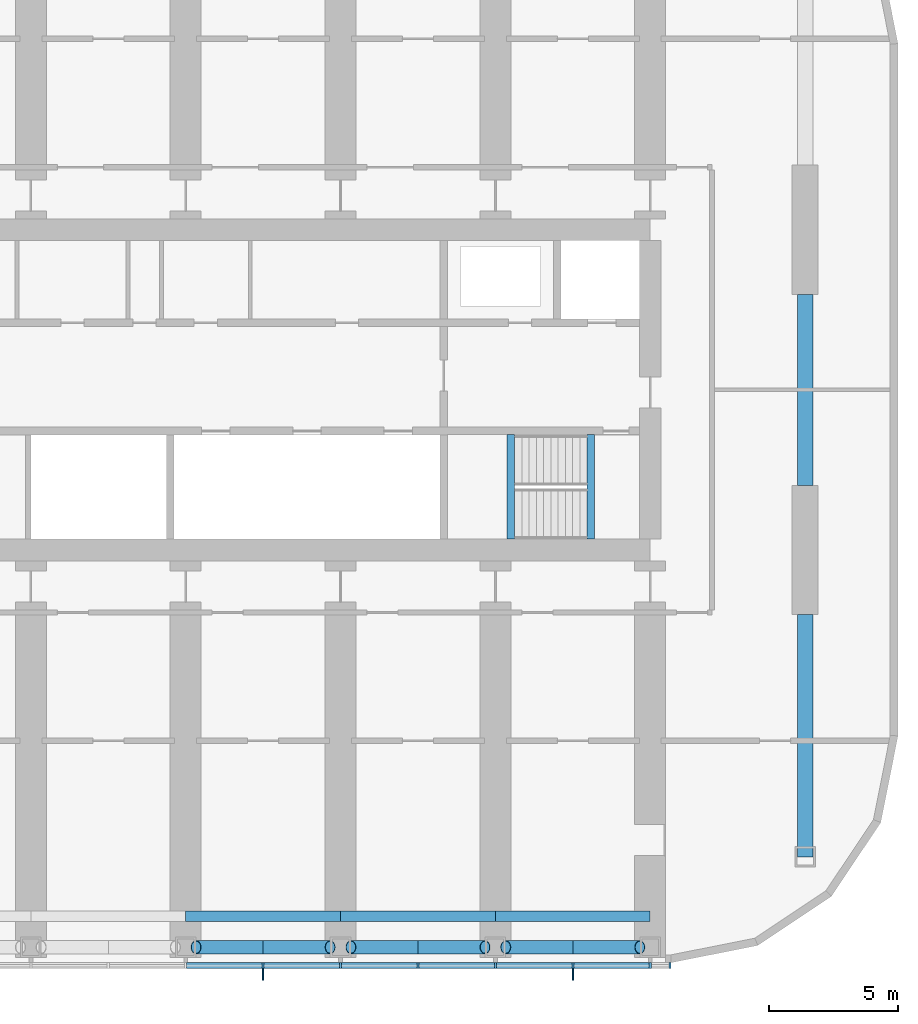
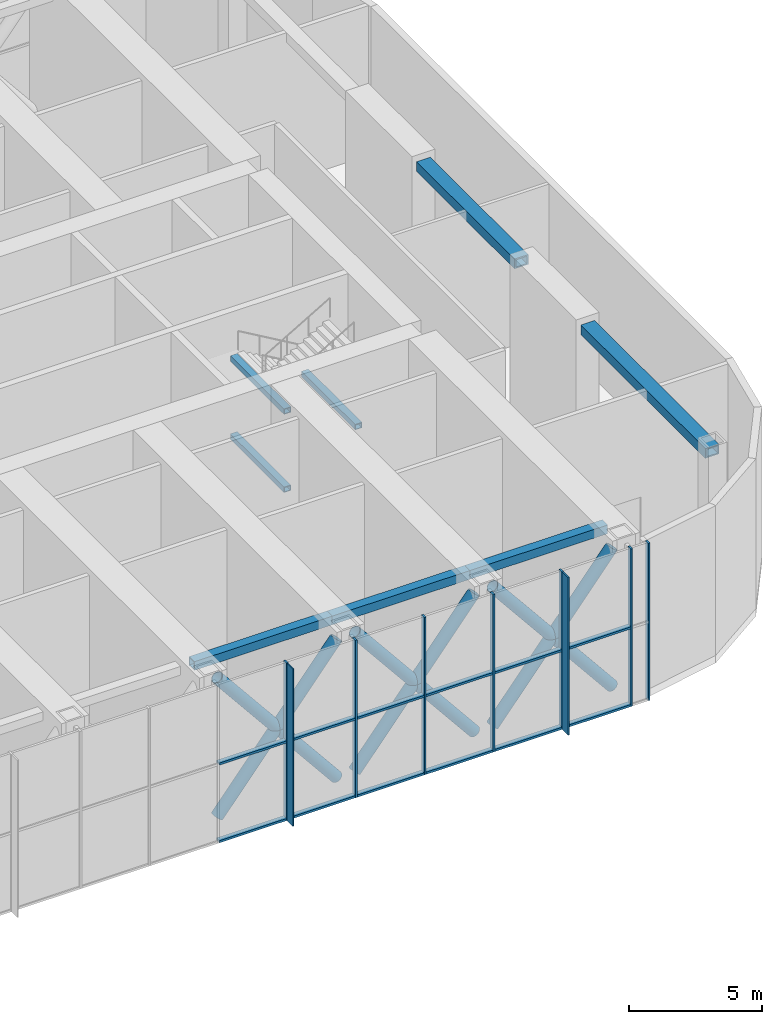
# One storey, part 3 of 22: 27 members, 8 beams, 1 element without a shape of its own.
"""IFC4 building model written with IfcOpenShell, lengths in metres."""

from ifc_helpers import new_model, si_unit, direction, frame, origin, origin_2d, place, context, subcontext, project, spatial, rectangle, hollow_rectangle, hollow_circle, extrude, material, material_profile, profile_set, type_object, element, aggregate, save


model = new_model("IFC4")

# Units and contexts
model_context = context("Model", 3, precision=1e-05, world=origin(), true_north=direction((0.0, 1.0)))
body_context = subcontext(model_context, "Body", "Model", "MODEL_VIEW")
ifc_project = project(units=[si_unit("LENGTHUNIT", "METRE"), si_unit("AREAUNIT", "SQUARE_METRE"), si_unit("VOLUMEUNIT", "CUBIC_METRE"), si_unit("PLANEANGLEUNIT", "RADIAN"), si_unit("MASSUNIT", "GRAM", prefix="KILO")], contexts=[model_context])

# Site, building, storey
site_placement = place(None, origin())
site = spatial("IfcSite", under=ifc_project, at=site_placement, CompositionType="ELEMENT")
building_placement = place(site_placement, origin())
building = spatial("IfcBuilding", under=site, at=building_placement, Name="Orbita Commons", CompositionType="ELEMENT")
storey_placement = place(building_placement, frame((0.0, 0.0, 201.10009765625)))
storey = spatial("IfcBuildingStorey", under=building, at=storey_placement, Name="L50", CompositionType="ELEMENT", Elevation=201.10009765625)

# Members
ifc_material_1 = material(Name="Steel ASTM A992", Category="steel")
ifc_material_profile_1 = material_profile(ifc_material_1, hollow_circle(Radius=0.25390625, WallThickness=0.02001953125, at=origin_2d()), Name="CHS 508x20")
ifc_profile_set_1 = profile_set([ifc_material_profile_1], Name="Steel ASTM A992")
member_type_1 = type_object("IfcMemberType", Name="Belt truss diagonal CHS 508x20", PredefinedType="BRACE", material=ifc_profile_set_1)
for number, where, z_axis, x_axis, name in (
    (1, (48.39990234375, 10.39990234375, 0.25), (0.630612687458, 0.0, 0.776097699015), (0.0, 1.0, 0.0), "Belt truss diagonal B 9-10 rising L50"),
    (2, (48.39990234375, 10.39990234375, 6.64990234375), (0.630612687458, 0.0, -0.776097699015), (0.0, 1.0, 0.0), "Belt truss diagonal B 9-10 falling L50"),
    (3, (54.39990234375, 10.39990234375, 0.25), (0.630612687458, 0.0, 0.776097699015), (0.0, 1.0, 0.0), "Belt truss diagonal B 10-11 rising L50"),
    (4, (54.39990234375, 10.39990234375, 6.64990234375), (0.630612687458, 0.0, -0.776097699015), (0.0, 1.0, 0.0), "Belt truss diagonal B 10-11 falling L50"),
    (5, (60.39990234375, 10.39990234375, 0.25), (0.630612687458, 0.0, 0.776097699015), (0.0, 1.0, 0.0), "Belt truss diagonal B 11-12 rising L50"),
    (6, (60.39990234375, 10.39990234375, 6.64990234375), (0.630612687458, 0.0, -0.776097699015), (0.0, 1.0, 0.0), "Belt truss diagonal B 11-12 falling L50"),
):
    element("IfcMember", number, at=place(storey_placement, frame(where, z_axis=z_axis, x_axis=x_axis)), inside=storey, type_object=member_type_1, Name=name, PredefinedType="BRACE", context=body_context, shape_type="SweptSolid", body=[
        extrude(hollow_circle(Radius=0.25390625, WallThickness=0.02001953125, at=origin_2d()), origin(), (0.0, 0.0, 1.0), 8.246337890625),
    ])

# Curtain wall, members
ifc_material_2 = material(Name="Anodised aluminium frame, pale silver", Category="aluminium")
curtain_wall_type = type_object("IfcCurtainWallType", Name="Louvred curtain wall CW-V", PredefinedType="NOTDEFINED", material=ifc_material_2)
curtain_wall_placement = place(storey_placement, origin())
curtain_wall = element("IfcCurtainWall", 7, at=curtain_wall_placement, inside=storey, type_object=curtain_wall_type, Name="Curtain wall south L50", PredefinedType="NOTDEFINED")
ifc_material_3 = material(Name="Anodised aluminium, pale silver", Category="aluminium")
ifc_material_profile_2 = material_profile(ifc_material_3, rectangle(XDim=0.080078125, YDim=0.219970703125, at=origin_2d()), Name="AL 80x220")
ifc_profile_set_2 = profile_set([ifc_material_profile_2], Name="Anodised aluminium, pale silver")
member_type_2 = type_object("IfcMemberType", Name="Curtain wall mullion 80x220", PredefinedType="MULLION", material=ifc_profile_set_2)
member_1_placement = place(storey_placement, frame((51.0, 9.68994140625, -0.35009765625), z_axis=(0.0, 0.0, 1.0), x_axis=(1.0, 0.0, 0.0)))
member_1 = element("IfcMember", 8, at=member_1_placement, type_object=member_type_2, Name="Mullion 13 CW-L50-S", PredefinedType="MULLION", context=body_context, shape_type="SweptSolid", body=[
    extrude(rectangle(XDim=0.080078125, YDim=0.219970703125, at=origin_2d()), origin(), (0.0, 0.0, 1.0), 7.25),
])
member_2_placement = place(storey_placement, frame((54.0, 9.68994140625, -0.35009765625), z_axis=(0.0, 0.0, 1.0), x_axis=(1.0, 0.0, 0.0)))
member_2 = element("IfcMember", 9, at=member_2_placement, type_object=member_type_2, Name="Mullion 14 CW-L50-S", PredefinedType="MULLION", context=body_context, shape_type="SweptSolid", body=[
    extrude(rectangle(XDim=0.080078125, YDim=0.219970703125, at=origin_2d()), origin(), (0.0, 0.0, 1.0), 7.25),
])
member_3_placement = place(storey_placement, frame((57.0, 9.68994140625, -0.35009765625), z_axis=(0.0, 0.0, 1.0), x_axis=(1.0, 0.0, 0.0)))
member_3 = element("IfcMember", 10, at=member_3_placement, type_object=member_type_2, Name="Mullion 15 CW-L50-S", PredefinedType="MULLION", context=body_context, shape_type="SweptSolid", body=[
    extrude(rectangle(XDim=0.080078125, YDim=0.219970703125, at=origin_2d()), origin(), (0.0, 0.0, 1.0), 7.25),
])
member_4_placement = place(storey_placement, frame((60.0, 9.68994140625, -0.35009765625), z_axis=(0.0, 0.0, 1.0), x_axis=(1.0, 0.0, 0.0)))
member_4 = element("IfcMember", 11, at=member_4_placement, type_object=member_type_2, Name="Mullion 16 CW-L50-S", PredefinedType="MULLION", context=body_context, shape_type="SweptSolid", body=[
    extrude(rectangle(XDim=0.080078125, YDim=0.219970703125, at=origin_2d()), origin(), (0.0, 0.0, 1.0), 7.25),
])
member_5_placement = place(storey_placement, frame((63.0, 9.68994140625, -0.35009765625), z_axis=(0.0, 0.0, 1.0), x_axis=(1.0, 0.0, 0.0)))
member_5 = element("IfcMember", 12, at=member_5_placement, type_object=member_type_2, Name="Mullion 17 CW-L50-S", PredefinedType="MULLION", context=body_context, shape_type="SweptSolid", body=[
    extrude(rectangle(XDim=0.080078125, YDim=0.219970703125, at=origin_2d()), origin(), (0.0, 0.0, 1.0), 7.25),
])
member_6_placement = place(storey_placement, frame((66.0, 9.68994140625, -0.35009765625), z_axis=(0.0, 0.0, 1.0), x_axis=(1.0, 0.0, 0.0)))
member_6 = element("IfcMember", 13, at=member_6_placement, type_object=member_type_2, Name="Mullion 18 CW-L50-S", PredefinedType="MULLION", context=body_context, shape_type="SweptSolid", body=[
    extrude(rectangle(XDim=0.080078125, YDim=0.219970703125, at=origin_2d()), origin(), (0.0, 0.0, 1.0), 7.25),
])
member_7_placement = place(storey_placement, frame((66.760009765625, 9.68994140625, -0.35009765625), z_axis=(0.0, 0.0, 1.0), x_axis=(1.0, 0.0, 0.0)))
member_7 = element("IfcMember", 14, at=member_7_placement, type_object=member_type_2, Name="Mullion 19 CW-L50-S", PredefinedType="MULLION", context=body_context, shape_type="SweptSolid", body=[
    extrude(rectangle(XDim=0.080078125, YDim=0.219970703125, at=origin_2d()), origin(), (0.0, 0.0, 1.0), 7.25),
])
ifc_material_4 = material(Name="Anodised aluminium, pale silver", Category="aluminium")
ifc_material_profile_3 = material_profile(ifc_material_4, rectangle(XDim=0.219970703125, YDim=0.10009765625, at=origin_2d()), Name="AL 220x100")
ifc_profile_set_3 = profile_set([ifc_material_profile_3], Name="Anodised aluminium, pale silver")
member_type_3 = type_object("IfcMemberType", Name="Curtain wall stack transom 220x100", PredefinedType="USERDEFINED", material=ifc_profile_set_3)
member_8_placement = place(storey_placement, frame((48.0400390625, 9.68994140625, -0.300048828125), z_axis=(1.0, 0.0, 0.0), x_axis=(0.0, 1.0, 0.0)))
member_8 = element("IfcMember", 15, at=member_8_placement, type_object=member_type_3, Name="Transom 12.1 CW-L50-S", ObjectType="TRANSOM", PredefinedType="USERDEFINED", context=body_context, shape_type="SweptSolid", body=[
    extrude(rectangle(XDim=0.219970703125, YDim=0.10009765625, at=origin_2d()), origin(), (0.0, 0.0, 1.0), 2.919921875),
])
member_9_placement = place(storey_placement, frame((48.0400390625, 9.68994140625, 3.27490234375), z_axis=(1.0, 0.0, 0.0), x_axis=(0.0, 1.0, 0.0)))
member_9 = element("IfcMember", 16, at=member_9_placement, type_object=member_type_3, Name="Transom 12.2 CW-L50-S", ObjectType="TRANSOM", PredefinedType="USERDEFINED", context=body_context, shape_type="SweptSolid", body=[
    extrude(rectangle(XDim=0.219970703125, YDim=0.10009765625, at=origin_2d()), origin(), (0.0, 0.0, 1.0), 2.919921875),
])
member_10_placement = place(storey_placement, frame((51.0400390625, 9.68994140625, -0.300048828125), z_axis=(1.0, 0.0, 0.0), x_axis=(0.0, 1.0, 0.0)))
member_10 = element("IfcMember", 17, at=member_10_placement, type_object=member_type_3, Name="Transom 13.1 CW-L50-S", ObjectType="TRANSOM", PredefinedType="USERDEFINED", context=body_context, shape_type="SweptSolid", body=[
    extrude(rectangle(XDim=0.219970703125, YDim=0.10009765625, at=origin_2d()), origin(), (0.0, 0.0, 1.0), 2.919921875),
])
member_11_placement = place(storey_placement, frame((51.0400390625, 9.68994140625, 3.27490234375), z_axis=(1.0, 0.0, 0.0), x_axis=(0.0, 1.0, 0.0)))
member_11 = element("IfcMember", 18, at=member_11_placement, type_object=member_type_3, Name="Transom 13.2 CW-L50-S", ObjectType="TRANSOM", PredefinedType="USERDEFINED", context=body_context, shape_type="SweptSolid", body=[
    extrude(rectangle(XDim=0.219970703125, YDim=0.10009765625, at=origin_2d()), origin(), (0.0, 0.0, 1.0), 2.919921875),
])
member_12_placement = place(storey_placement, frame((54.0400390625, 9.68994140625, -0.300048828125), z_axis=(1.0, 0.0, 0.0), x_axis=(0.0, 1.0, 0.0)))
member_12 = element("IfcMember", 19, at=member_12_placement, type_object=member_type_3, Name="Transom 14.1 CW-L50-S", ObjectType="TRANSOM", PredefinedType="USERDEFINED", context=body_context, shape_type="SweptSolid", body=[
    extrude(rectangle(XDim=0.219970703125, YDim=0.10009765625, at=origin_2d()), origin(), (0.0, 0.0, 1.0), 2.919921875),
])
member_13_placement = place(storey_placement, frame((54.0400390625, 9.68994140625, 3.27490234375), z_axis=(1.0, 0.0, 0.0), x_axis=(0.0, 1.0, 0.0)))
member_13 = element("IfcMember", 20, at=member_13_placement, type_object=member_type_3, Name="Transom 14.2 CW-L50-S", ObjectType="TRANSOM", PredefinedType="USERDEFINED", context=body_context, shape_type="SweptSolid", body=[
    extrude(rectangle(XDim=0.219970703125, YDim=0.10009765625, at=origin_2d()), origin(), (0.0, 0.0, 1.0), 2.919921875),
])
member_14_placement = place(storey_placement, frame((57.0400390625, 9.68994140625, -0.300048828125), z_axis=(1.0, 0.0, 0.0), x_axis=(0.0, 1.0, 0.0)))
member_14 = element("IfcMember", 21, at=member_14_placement, type_object=member_type_3, Name="Transom 15.1 CW-L50-S", ObjectType="TRANSOM", PredefinedType="USERDEFINED", context=body_context, shape_type="SweptSolid", body=[
    extrude(rectangle(XDim=0.219970703125, YDim=0.10009765625, at=origin_2d()), origin(), (0.0, 0.0, 1.0), 2.919921875),
])
member_15_placement = place(storey_placement, frame((57.0400390625, 9.68994140625, 3.27490234375), z_axis=(1.0, 0.0, 0.0), x_axis=(0.0, 1.0, 0.0)))
member_15 = element("IfcMember", 22, at=member_15_placement, type_object=member_type_3, Name="Transom 15.2 CW-L50-S", ObjectType="TRANSOM", PredefinedType="USERDEFINED", context=body_context, shape_type="SweptSolid", body=[
    extrude(rectangle(XDim=0.219970703125, YDim=0.10009765625, at=origin_2d()), origin(), (0.0, 0.0, 1.0), 2.919921875),
])
member_16_placement = place(storey_placement, frame((60.0400390625, 9.68994140625, -0.300048828125), z_axis=(1.0, 0.0, 0.0), x_axis=(0.0, 1.0, 0.0)))
member_16 = element("IfcMember", 23, at=member_16_placement, type_object=member_type_3, Name="Transom 16.1 CW-L50-S", ObjectType="TRANSOM", PredefinedType="USERDEFINED", context=body_context, shape_type="SweptSolid", body=[
    extrude(rectangle(XDim=0.219970703125, YDim=0.10009765625, at=origin_2d()), origin(), (0.0, 0.0, 1.0), 2.919921875),
])
member_17_placement = place(storey_placement, frame((60.0400390625, 9.68994140625, 3.27490234375), z_axis=(1.0, 0.0, 0.0), x_axis=(0.0, 1.0, 0.0)))
member_17 = element("IfcMember", 24, at=member_17_placement, type_object=member_type_3, Name="Transom 16.2 CW-L50-S", ObjectType="TRANSOM", PredefinedType="USERDEFINED", context=body_context, shape_type="SweptSolid", body=[
    extrude(rectangle(XDim=0.219970703125, YDim=0.10009765625, at=origin_2d()), origin(), (0.0, 0.0, 1.0), 2.919921875),
])
member_18_placement = place(storey_placement, frame((63.0400390625, 9.68994140625, -0.300048828125), z_axis=(1.0, 0.0, 0.0), x_axis=(0.0, 1.0, 0.0)))
member_18 = element("IfcMember", 25, at=member_18_placement, type_object=member_type_3, Name="Transom 17.1 CW-L50-S", ObjectType="TRANSOM", PredefinedType="USERDEFINED", context=body_context, shape_type="SweptSolid", body=[
    extrude(rectangle(XDim=0.219970703125, YDim=0.10009765625, at=origin_2d()), origin(), (0.0, 0.0, 1.0), 2.919921875),
])
member_19_placement = place(storey_placement, frame((63.0400390625, 9.68994140625, 3.27490234375), z_axis=(1.0, 0.0, 0.0), x_axis=(0.0, 1.0, 0.0)))
member_19 = element("IfcMember", 26, at=member_19_placement, type_object=member_type_3, Name="Transom 17.2 CW-L50-S", ObjectType="TRANSOM", PredefinedType="USERDEFINED", context=body_context, shape_type="SweptSolid", body=[
    extrude(rectangle(XDim=0.219970703125, YDim=0.10009765625, at=origin_2d()), origin(), (0.0, 0.0, 1.0), 2.919921875),
])

# Beams
ifc_material_5 = material(Name="Steel ASTM A572 Gr 50 welded plate", Category="steel")
ifc_material_profile_4 = material_profile(ifc_material_5, hollow_rectangle(XDim=0.300048828125, YDim=0.25, WallThickness=0.02490234375, at=origin_2d()), Name="BOX 250x300x25")
ifc_profile_set_4 = profile_set([ifc_material_profile_4], Name="Steel ASTM A572 Gr 50 welded plate")
beam_type_1 = type_object("IfcBeamType", Name="Stair landing beam steel BOX 250x300x25", PredefinedType="BEAM", material=ifc_profile_set_4)
for number, where, z_axis, x_axis, name in (
    (27, (60.60009765625, 26.2099609375, 1.474853515625), (0.0, 1.0, 0.0), (-1.0, 0.0, 0.0), "Stair S2 landing beam L50 1"),
    (28, (63.699951171875, 26.2099609375, 3.27490234375), (0.0, 1.0, 0.0), (-1.0, 0.0, 0.0), "Stair S2 landing beam L50 2"),
    (29, (60.60009765625, 26.2099609375, 5.074951171875), (0.0, 1.0, 0.0), (-1.0, 0.0, 0.0), "Stair S2 landing beam L50 3"),
):
    element("IfcBeam", number, at=place(storey_placement, frame(where, z_axis=z_axis, x_axis=x_axis)), inside=storey, type_object=beam_type_1, Name=name, PredefinedType="BEAM", context=body_context, shape_type="SweptSolid", body=[
        extrude(hollow_rectangle(XDim=0.300048828125, YDim=0.25, WallThickness=0.02490234375, at=origin_2d()), origin(), (0.0, 0.0, 1.0), 4.054931640625),
    ])
ifc_material_6 = material(Name="Steel ASTM A572 Gr 50 welded plate", Category="steel")
ifc_material_profile_5 = material_profile(ifc_material_6, hollow_rectangle(XDim=0.60009765625, YDim=0.449951171875, WallThickness=0.06005859375, at=origin_2d()), Name="BOX 450x600x60")
ifc_profile_set_5 = profile_set([ifc_material_profile_5], Name="Steel ASTM A572 Gr 50 welded plate")
beam_type_2 = type_object("IfcBeamType", Name="Steel end frame link BOX 450x600x60", PredefinedType="BEAM", material=ifc_profile_set_5)
beam_1_placement = place(storey_placement, frame((72.0, 13.89990234375, 6.6748046875), z_axis=(0.0, 1.0, 0.0), x_axis=(-1.0, 0.0, 0.0)))
element("IfcBeam", 30, at=beam_1_placement, inside=storey, type_object=beam_type_2, Name="End frame beam 13 B-C L50", PredefinedType="BEAM", context=body_context, shape_type="SweptSolid", body=[
    extrude(hollow_rectangle(XDim=0.60009765625, YDim=0.449951171875, WallThickness=0.06005859375, at=origin_2d()), origin(), (0.0, 0.0, 1.0), 9.400146484375),
])
beam_2_placement = place(storey_placement, frame((72.0, 28.300048828125, 6.6748046875), z_axis=(0.0, 1.0, 0.0), x_axis=(-1.0, 0.0, 0.0)))
element("IfcBeam", 31, at=beam_2_placement, inside=storey, type_object=beam_type_2, Name="End frame beam 13 C-D L50", PredefinedType="BEAM", context=body_context, shape_type="SweptSolid", body=[
    extrude(hollow_rectangle(XDim=0.60009765625, YDim=0.449951171875, WallThickness=0.06005859375, at=origin_2d()), origin(), (0.0, 0.0, 1.0), 7.39990234375),
])
ifc_material_7 = material(Name="Steel ASTM A572 Gr 50 welded plate", Category="steel")
ifc_material_profile_6 = material_profile(ifc_material_7, hollow_rectangle(XDim=0.39990234375, YDim=0.39990234375, WallThickness=0.0400390625, at=origin_2d()), Name="BOX 400x400x40")
ifc_profile_set_6 = profile_set([ifc_material_profile_6], Name="Steel ASTM A572 Gr 50 welded plate")
beam_type_3 = type_object("IfcBeamType", Name="Steel spandrel BOX 400x400x40", PredefinedType="SPANDREL", material=ifc_profile_set_6)
for number, where, z_axis, x_axis, name in (
    (32, (48.0, 11.60009765625, 6.699951171875), (1.0, 0.0, 0.0), (0.0, 1.0, 0.0), "Spandrel beam B 9-10 L50"),
    (33, (54.0, 11.60009765625, 6.699951171875), (1.0, 0.0, 0.0), (0.0, 1.0, 0.0), "Spandrel beam B 10-11 L50"),
    (34, (60.0, 11.60009765625, 6.699951171875), (1.0, 0.0, 0.0), (0.0, 1.0, 0.0), "Spandrel beam B 11-12 L50"),
):
    element("IfcBeam", number, at=place(storey_placement, frame(where, z_axis=z_axis, x_axis=x_axis)), inside=storey, type_object=beam_type_3, Name=name, PredefinedType="SPANDREL", context=body_context, shape_type="SweptSolid", body=[
        extrude(hollow_rectangle(XDim=0.39990234375, YDim=0.39990234375, WallThickness=0.0400390625, at=origin_2d()), origin(), (0.0, 0.0, 1.0), 6.0),
    ])

# Member
ifc_material_8 = material(Name="Anodised aluminium, pale silver", Category="aluminium")
ifc_material_profile_7 = material_profile(ifc_material_8, rectangle(XDim=0.06005859375, YDim=0.449951171875, at=origin_2d()), Name="FIN 60x450")
ifc_profile_set_7 = profile_set([ifc_material_profile_7], Name="Anodised aluminium, pale silver")
member_type_4 = type_object("IfcMemberType", Name="Vertical fin 60x450 pale aluminium", PredefinedType="USERDEFINED", material=ifc_profile_set_7)
member_20_placement = place(storey_placement, frame((51.0, 9.35498046875, -0.35009765625), z_axis=(0.0, 0.0, 1.0), x_axis=(1.0, 0.0, 0.0)))
member_20 = element("IfcMember", 35, at=member_20_placement, type_object=member_type_4, Name="Fin 13 CW-L50-S", ObjectType="FIN", PredefinedType="USERDEFINED", context=body_context, shape_type="SweptSolid", body=[
    extrude(rectangle(XDim=0.06005859375, YDim=0.449951171875, at=origin_2d()), origin(), (0.0, 0.0, 1.0), 7.25),
])

member_21_placement = place(storey_placement, frame((63.0, 9.35498046875, -0.35009765625), z_axis=(0.0, 0.0, 1.0), x_axis=(1.0, 0.0, 0.0)))
member_21 = element("IfcMember", 36, at=member_21_placement, type_object=member_type_4, Name="Fin 17 CW-L50-S", ObjectType="FIN", PredefinedType="USERDEFINED", context=body_context, shape_type="SweptSolid", body=[
    extrude(rectangle(XDim=0.06005859375, YDim=0.449951171875, at=origin_2d()), origin(), (0.0, 0.0, 1.0), 7.25),
])

aggregate(curtain_wall, [member_1, member_20, member_2, member_3, member_4, member_5, member_21, member_6, member_7, member_8, member_9, member_10, member_11, member_12, member_13, member_14, member_15, member_16, member_17, member_18, member_19])

save(model, "model.ifc")
